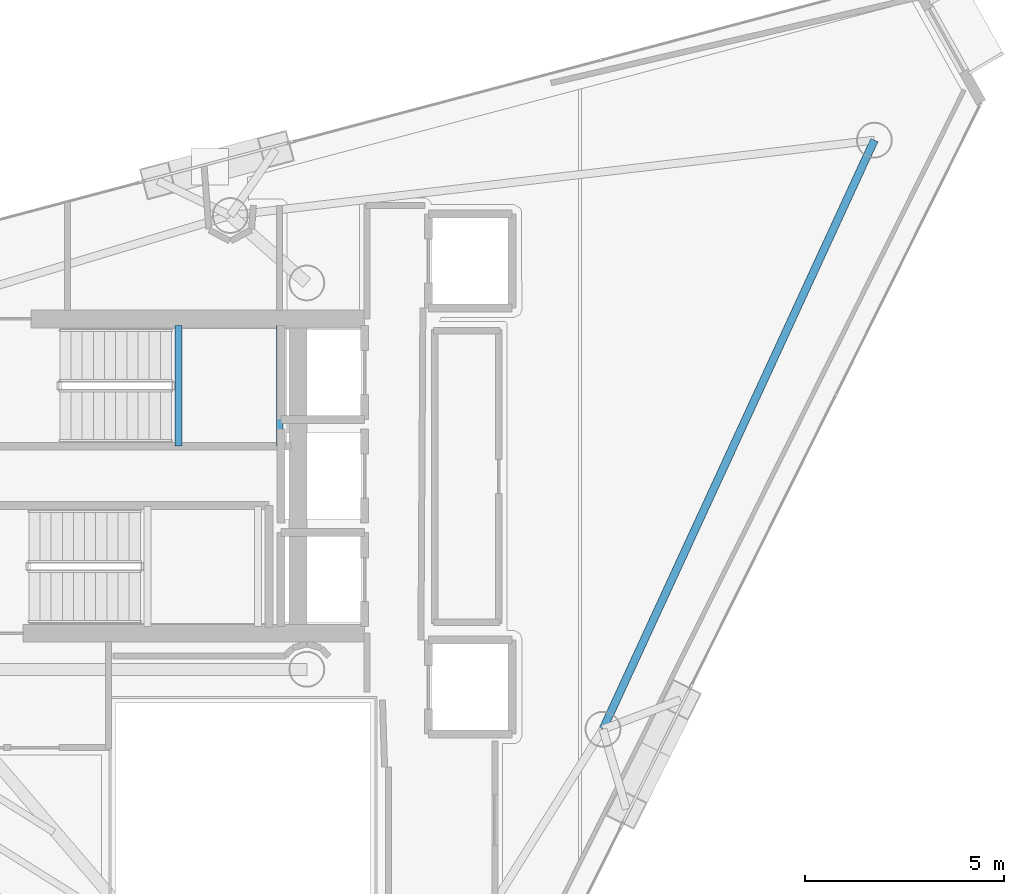
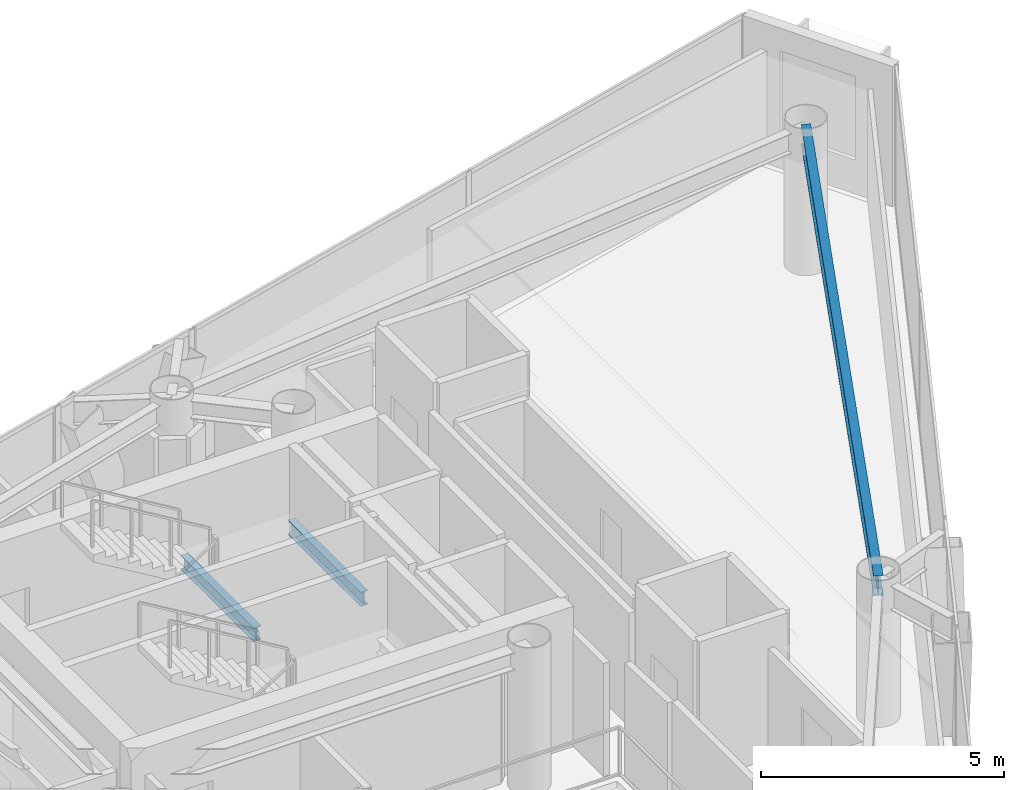
# One storey, part 12 of 23: 3 beams.
"""IFC4 building model written with IfcOpenShell, lengths in metres."""

from ifc_helpers import new_model, si_unit, direction, frame, origin, origin_2d, place, context, subcontext, project, spatial, i_section, extrude, material, material_profile, profile_set, type_object, element, save


model = new_model("IFC4")

# Units and contexts
model_context = context("Model", 3, precision=1e-05, world=origin(), true_north=direction((0.0, 1.0)))
body_context = subcontext(model_context, "Body", "Model", "MODEL_VIEW")
ifc_project = project(units=[si_unit("LENGTHUNIT", "METRE"), si_unit("AREAUNIT", "SQUARE_METRE"), si_unit("VOLUMEUNIT", "CUBIC_METRE"), si_unit("PLANEANGLEUNIT", "RADIAN"), si_unit("MASSUNIT", "GRAM", prefix="KILO")], contexts=[model_context])

# Site, building, storey
site_placement = place(None, origin())
site = spatial("IfcSite", under=ifc_project, at=site_placement, CompositionType="ELEMENT")
building_placement = place(site_placement, origin())
building = spatial("IfcBuilding", under=site, at=building_placement, Name="Qianvela Tower", CompositionType="ELEMENT")
storey_placement = place(building_placement, frame((0.0, 0.0, 313.89990234375)))
storey = spatial("IfcBuildingStorey", under=building, at=storey_placement, Name="L81", CompositionType="ELEMENT", Elevation=313.89990234375)

# Beams
ifc_material_1 = material(Name="Steel Q355B", Category="steel")
ifc_material_profile_1 = material_profile(ifc_material_1, i_section(OverallWidth=0.175048828125, OverallDepth=0.35009765625, WebThickness=0.007080078125, FlangeThickness=0.010986328125, at=origin_2d()), Name="HN350x175x7x11")
ifc_profile_set_1 = profile_set([ifc_material_profile_1], Name="Steel Q355B")
beam_type_1 = type_object("IfcBeamType", Name="BM-HN350-JOIST", PredefinedType="JOIST", material=ifc_profile_set_1)
for number, where, z_axis, x_axis, name in (
    (1, (35.179931640625, 29.4599609375, 1.47509765625), (0.0, 1.0, 0.0), (-1.0, 0.0, 0.0), "L81 Stair ST-1 Landing Support Beam 1.1"),
    (2, (37.719970703125, 29.4599609375, 1.47509765625), (0.0, 1.0, 0.0), (-1.0, 0.0, 0.0), "L81 Stair ST-1 Landing Support Beam 1.2"),
):
    element("IfcBeam", number, at=place(storey_placement, frame(where, z_axis=z_axis, x_axis=x_axis)), inside=storey, type_object=beam_type_1, Name=name, PredefinedType="JOIST", context=body_context, shape_type="SweptSolid", body=[
        extrude(i_section(OverallWidth=0.175048828125, OverallDepth=0.35009765625, WebThickness=0.007080078125, FlangeThickness=0.010986328125, at=origin_2d()), origin(), (0.0, 0.0, 1.0), 3.02001953125),
    ])
ifc_material_2 = material(Name="Steel Q355B", Category="steel")
ifc_material_profile_2 = material_profile(ifc_material_2, i_section(OverallWidth=0.199951171875, OverallDepth=0.5, WebThickness=0.010009765625, FlangeThickness=0.01611328125, at=origin_2d()), Name="HN500x200x10x16")
ifc_profile_set_2 = profile_set([ifc_material_profile_2], Name="Steel Q355B")
beam_type_2 = type_object("IfcBeamType", Name="BM-HN500-GIRD", PredefinedType="BEAM", material=ifc_profile_set_2)
beam_placement = place(storey_placement, frame((45.833984375, 22.344970703125, 3.26806640625), z_axis=(0.418440097712, 0.908244396969, 0.0), x_axis=(-0.908244396969, 0.418440097712, 0.0)))
element("IfcBeam", 3, at=beam_placement, inside=storey, type_object=beam_type_2, Name="L81 Perimeter Ring Spandrel Girder 6", PredefinedType="BEAM", context=body_context, shape_type="SweptSolid", body=[
    extrude(i_section(OverallWidth=0.199951171875, OverallDepth=0.5, WebThickness=0.010009765625, FlangeThickness=0.01611328125, at=origin_2d()), origin(), (0.0, 0.0, 1.0), 16.2841796875),
])

save(model, "model.ifc")
